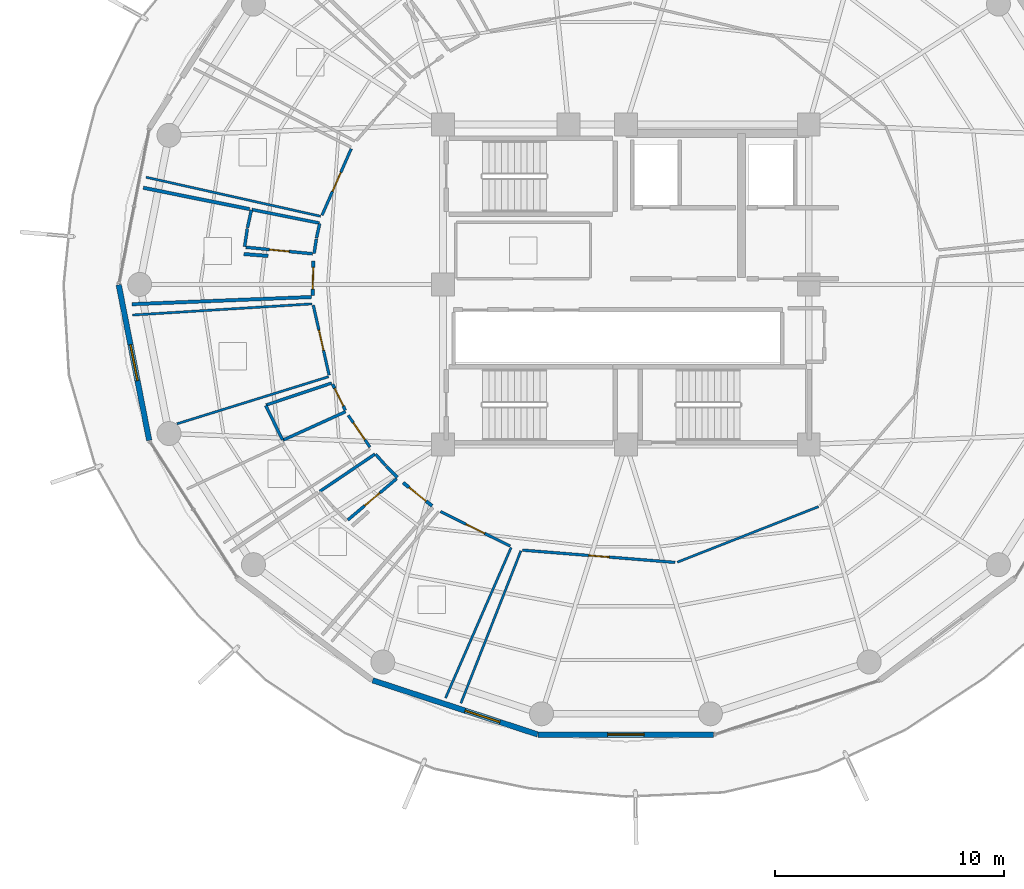
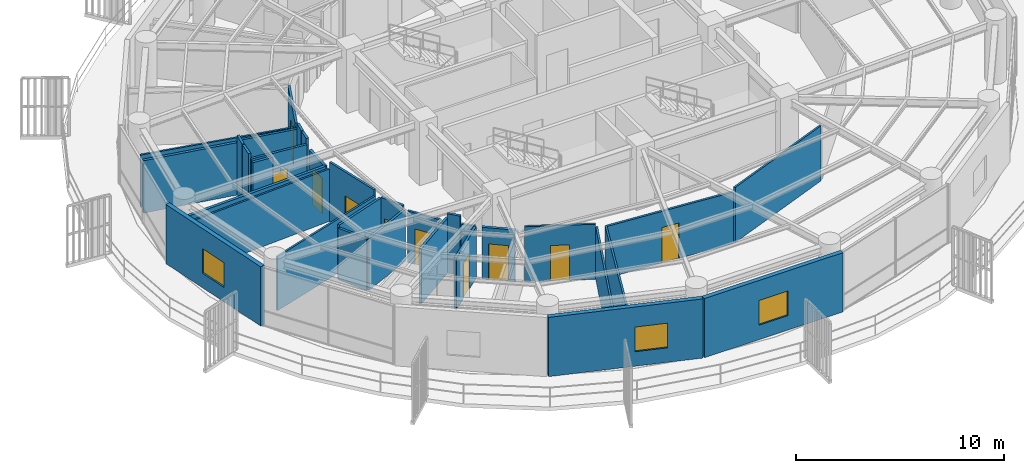
# One storey, part 23 of 30: 33 walls, 10 doors, 3 windows, 13 openings.
"""IFC4 building model written with IfcOpenShell, lengths in metres."""

import ifcopenshell
import ifcopenshell.guid

model = None  # the IFC model being written
_history = None  # IfcOwnerHistory: only IFC2X3 demands one
_inside = {}  # id of a spatial element -> (the spatial element, [elements in it])
_under = {}  # id of a project, library or spatial element -> (it, [spatial elements below it])
_declared = {}  # id of a project -> (the project, [libraries it declares])
_typed = {}  # id of a type object -> (the type object, [elements of that type])
_made_of = {}  # id of a material, layer set ... -> (it, [elements and type objects made of it])


def new_model(schema):
    """Start an empty IFC model of exactly this schema.

    Asked for "IFC4X3", IfcOpenShell would pick the latest addendum, in which some entities
    have other attributes; the version numbers below select the first issue.
    IFC2X3 requires an IfcOwnerHistory on every rooted entity: one is made here for all.
    """
    global model, _history
    if schema == "IFC4X3":
        model = ifcopenshell.file(schema_version=(4, 3, 0, 0))
    else:
        model = ifcopenshell.file(schema=schema)
    _inside.clear()
    _under.clear()
    _declared.clear()
    _typed.clear()
    _made_of.clear()
    _history = None
    if model.schema == "IFC2X3":
        org = make("IfcOrganization", Name="unknown")
        user = make(
            "IfcPersonAndOrganization",
            ThePerson=make("IfcPerson", FamilyName="unknown"),
            TheOrganization=org,
        )
        app = make(
            "IfcApplication",
            ApplicationDeveloper=org,
            Version="unknown",
            ApplicationFullName="unknown",
            ApplicationIdentifier="unknown",
        )
        _history = make(
            "IfcOwnerHistory",
            OwningUser=user,
            OwningApplication=app,
            ChangeAction="ADDED",
            CreationDate=0,
        )
    return model


def make(cls, **values):
    """One entity of the class cls with the attributes given. An attribute that is None is left unset."""
    return model.create_entity(
        cls, **{name: value for name, value in values.items() if value is not None}
    )


def rooted(cls, **values):
    """An entity with a GlobalId (a new one), such as an element, a storey or a relation."""
    return make(cls, GlobalId=ifcopenshell.guid.new(), OwnerHistory=_history, **values)


def si_unit(unit_type, name, prefix=None):
    """IfcSIUnit, for example si_unit("LENGTHUNIT", "METRE", prefix="MILLI")."""
    return make("IfcSIUnit", UnitType=unit_type, Prefix=prefix, Name=name)


def assignment(units):
    """IfcUnitAssignment: the units of a project."""
    return None if units is None else make("IfcUnitAssignment", Units=units)


def point(xyz):
    """IfcCartesianPoint."""
    return None if xyz is None else make("IfcCartesianPoint", Coordinates=xyz)


def direction(xyz):
    """IfcDirection."""
    return None if xyz is None else make("IfcDirection", DirectionRatios=xyz)


def frame(location, z_axis=None, x_axis=None):
    """IfcAxis2Placement3D, a coordinate frame: its origin and axes. An axis left out is left unset."""
    return make(
        "IfcAxis2Placement3D",
        Location=point(location),
        Axis=direction(z_axis),
        RefDirection=direction(x_axis),
    )


def frame_2d(location, x_axis=None):
    """IfcAxis2Placement2D, a coordinate frame in the plane: its origin and x axis."""
    return make(
        "IfcAxis2Placement2D", Location=point(location), RefDirection=direction(x_axis)
    )


def origin():
    """The frame at (0, 0, 0) with its axes left unset."""
    return frame((0.0, 0.0, 0.0))


def place(relative_to, where):
    """IfcLocalPlacement: puts the frame where relative to a parent placement (None: the world)."""
    return make(
        "IfcLocalPlacement", PlacementRelTo=relative_to, RelativePlacement=where
    )


def context(
    kind, dimensions, precision=None, world=None, true_north=None, identifier=None
):
    """IfcGeometricRepresentationContext, for example the 3D "Model" context."""
    return make(
        "IfcGeometricRepresentationContext",
        ContextIdentifier=identifier,
        ContextType=kind,
        CoordinateSpaceDimension=dimensions,
        Precision=precision,
        WorldCoordinateSystem=world,
        TrueNorth=true_north,
    )


def subcontext(parent, identifier, kind, view, scale=None):
    """IfcGeometricRepresentationSubContext, for example "Body" below "Model"."""
    return make(
        "IfcGeometricRepresentationSubContext",
        ContextIdentifier=identifier,
        ContextType=kind,
        ParentContext=parent,
        TargetScale=scale,
        TargetView=view,
    )


def project(units=None, contexts=None):
    """IfcProject with its units and contexts."""
    return rooted(
        "IfcProject",
        Name="project",
        RepresentationContexts=contexts,
        UnitsInContext=assignment(units),
    )


def spatial(cls, under=None, at=None, **own):
    """A site, building, storey or space (cls), placed at a placement, below another one or the project."""
    s = rooted(cls, ObjectPlacement=at, **own)
    if under is not None:
        _under.setdefault(under.id(), (under, []))[1].append(s)
    return s


def profile(cls, at=None, kind="AREA", **sizes):
    """A parametric profile (cls). Its sizes go by their IFC names, for example OverallWidth=200.0."""
    return make(cls, ProfileType=kind, Position=at, **sizes)


def rectangle(**sizes):
    """IfcRectangleProfileDef."""
    return profile("IfcRectangleProfileDef", **sizes)


def extrude(swept, where, along, depth):
    """IfcExtrudedAreaSolid: the profile swept, set in the frame where, extruded along a direction by depth."""
    return make(
        "IfcExtrudedAreaSolid",
        SweptArea=swept,
        Position=where,
        ExtrudedDirection=direction(along),
        Depth=depth,
    )


def shape(context_of_items, identifier, shape_type, items):
    """IfcShapeRepresentation: the items that make up one representation, for example the "Body"."""
    return make(
        "IfcShapeRepresentation",
        ContextOfItems=context_of_items,
        RepresentationIdentifier=identifier,
        RepresentationType=shape_type,
        Items=items,
    )


def material(Name=None, Category=None):
    """IfcMaterial."""
    return make("IfcMaterial", Name=Name, Category=Category)


def layer(
    of_material, thickness, ventilated=None, Name=None, Category=None, Priority=None
):
    """IfcMaterialLayer: one layer of a wall or slab, of a material (None: an air gap)."""
    return make(
        "IfcMaterialLayer",
        Material=of_material,
        LayerThickness=thickness,
        IsVentilated=ventilated,
        Name=Name,
        Category=Category,
        Priority=Priority,
    )


def layer_set(layers, Name=None):
    """IfcMaterialLayerSet."""
    return make("IfcMaterialLayerSet", MaterialLayers=layers, LayerSetName=Name)


def made_of(thing, what):
    """Note that an element or type object is made of a material, layer set ...; save() writes the relation."""
    if what is not None:
        _made_of.setdefault(what.id(), (what, []))[1].append(thing)
    return thing


def type_object(cls, material=None, **own):
    """A type object (cls), such as IfcWallType, which elements share."""
    return made_of(rooted(cls, **own), material)


def element(
    cls,
    number,
    at=None,
    inside=None,
    cuts=None,
    type_object=None,
    material=None,
    context=None,
    identifier="Body",
    shape_type=None,
    held_by="IfcProductDefinitionShape",
    body=None,
    shapes=None,
    **own,
):
    """One element of the class cls, such as IfcWall. Its Tag is "e" and its number.

    at: its placement. inside: the storey or other place that contains it. cuts: it is an
    opening in that element (IfcRelVoidsElement). A single representation is given by context,
    identifier, shape_type and body (its items); several are given by shapes. held_by: the class
    of the entity that holds the representations. save() writes the other relations.
    """
    e = rooted(cls, Tag="e%d" % number, ObjectPlacement=at, **own)
    if body is not None:
        shapes = [shape(context, identifier, shape_type, body)]
    if shapes is not None:
        e.Representation = make(held_by, Representations=shapes)
    if inside is not None:
        _inside.setdefault(inside.id(), (inside, []))[1].append(e)
    if cuts is not None:
        rooted(
            "IfcRelVoidsElement", RelatingBuildingElement=cuts, RelatedOpeningElement=e
        )
    if type_object is not None:
        _typed.setdefault(type_object.id(), (type_object, []))[1].append(e)
    return made_of(e, material)


def fill(opening, filler):
    """IfcRelFillsElement: the door or window that sits in an opening."""
    return rooted(
        "IfcRelFillsElement",
        RelatingOpeningElement=opening,
        RelatedBuildingElement=filler,
    )


def aggregate(whole, parts):
    """IfcRelAggregates: a whole, such as a stair, and the parts it consists of."""
    return rooted("IfcRelAggregates", RelatingObject=whole, RelatedObjects=parts)


def save(model, path):
    """Write the relations noted so far, then the file.

    IfcRelAggregates (storeys below a building ...), IfcRelContainedInSpatialStructure (elements
    in a storey), IfcRelDefinesByType, IfcRelAssociatesMaterial and IfcRelDeclares: one each for
    every whole, place, type object, material and project.
    """
    for whole, parts in _under.values():
        aggregate(whole, parts)
    for where, things in _inside.values():
        rooted(
            "IfcRelContainedInSpatialStructure",
            RelatedElements=things,
            RelatingStructure=where,
        )
    for kind, things in _typed.values():
        rooted("IfcRelDefinesByType", RelatedObjects=things, RelatingType=kind)
    for what, things in _made_of.values():
        rooted("IfcRelAssociatesMaterial", RelatedObjects=things, RelatingMaterial=what)
    for by, libraries in _declared.values():
        rooted("IfcRelDeclares", RelatingContext=by, RelatedDefinitions=libraries)
    model.write(path)


model = new_model("IFC4")

# Units and contexts
model_context = context("Model", 3, precision=1e-05, world=origin(), true_north=direction((0.0, 1.0)))
body_context = subcontext(model_context, "Body", "Model", "MODEL_VIEW")
ifc_project = project(units=[si_unit("LENGTHUNIT", "METRE"), si_unit("AREAUNIT", "SQUARE_METRE"), si_unit("VOLUMEUNIT", "CUBIC_METRE"), si_unit("PLANEANGLEUNIT", "RADIAN"), si_unit("MASSUNIT", "GRAM", prefix="KILO")], contexts=[model_context])

# Site, building, storey
site_placement = place(None, origin())
site = spatial("IfcSite", under=ifc_project, at=site_placement, CompositionType="ELEMENT")
building_placement = place(site_placement, origin())
building = spatial("IfcBuilding", under=site, at=building_placement, Name="Kelanora Arch Commons", CompositionType="ELEMENT")
storey_placement = place(building_placement, frame((0.0, 0.0, 234.449951171875)))
storey = spatial("IfcBuildingStorey", under=building, at=storey_placement, Name="L60", CompositionType="ELEMENT", Elevation=234.449951171875)

# Wall, opening, door
ifc_material_1 = material(Name="Autoclaved aerated concrete blockwork with fire plaster", Category="masonry")
ifc_layer_1 = layer(ifc_material_1, 0.14990234375)
ifc_layer_set_1 = layer_set([ifc_layer_1], Name="Autoclaved aerated concrete blockwork with fire plaster")
wall_type_1 = type_object("IfcWallType", Name="W-COMP-150", PredefinedType="PARTITIONING", material=ifc_layer_set_1)
wall_1_placement = place(storey_placement, frame((60.322509765625, 59.028076171875, 0.0), z_axis=(0.0, 0.0, 1.0), x_axis=(-0.024453580127, -0.999700966499, 0.0)))
wall_1 = element("IfcWall", 1, at=wall_1_placement, inside=storey, type_object=wall_type_1, Name="Cluster Bedroom L60-04 Entry Partition", PredefinedType="PARTITIONING", context=body_context, shape_type="SweptSolid", body=[
    extrude(rectangle(XDim=1.517578125, YDim=0.14990234375, at=frame_2d((0.7587890625, 0.0))), origin(), (0.0, 0.0, 1.0), 3.025146484375),
])
opening_1_placement = place(wall_1_placement, frame((0.283935546875, 0.0, 0.0)))
opening_1 = element("IfcOpeningElement", 2, at=opening_1_placement, cuts=wall_1, Name="Opening D-CLU1", PredefinedType="OPENING", context=body_context, shape_type="SweptSolid", body=[
    extrude(rectangle(XDim=0.949951171875, YDim=2.080078125, at=frame_2d((0.47509765625, 1.0400390625))), frame((0.0, 0.0849609375, 0.0), z_axis=(0.0, -1.0, 0.0), x_axis=(1.0, 0.0, 0.0)), (0.0, 0.0, 1.0), 0.169921875),
])
ifc_material_2 = material(Name="Solid-core acoustic timber cluster entry fire door", Category="wood")
door_type_1 = type_object("IfcDoorType", Name="D-CLU-95", OperationType="NOTDEFINED", PredefinedType="DOOR", material=ifc_material_2)
door_1_placement = place(opening_1_placement, origin())
door_1 = element("IfcDoor", 3, at=door_1_placement, inside=storey, type_object=door_type_1, Name="Cluster Bedroom L60-04 Door", OperationType="SINGLE_SWING_LEFT", OverallHeight=2.080078125, OverallWidth=0.949951171875, PredefinedType="DOOR", context=body_context, shape_type="SweptSolid", body=[
    extrude(rectangle(XDim=0.949951171875, YDim=2.080078125, at=frame_2d((0.47509765625, 1.0400390625))), frame((0.0, 0.02490234375, 0.0), z_axis=(0.0, -1.0, 0.0), x_axis=(1.0, 0.0, 0.0)), (0.0, 0.0, 1.0), 0.050048828125),
])
fill(opening_1, door_1)

wall_2_placement = place(storey_placement, frame((64.249755859375, 49.324462890625, 0.0), z_axis=(0.0, 0.0, 1.0), x_axis=(0.780560643324, -0.625080060547, 0.0)))
wall_2 = element("IfcWall", 4, at=wall_2_placement, inside=storey, type_object=wall_type_1, Name="Co-Living Studio L60-07 Entry Partition", PredefinedType="PARTITIONING", context=body_context, shape_type="SweptSolid", body=[
    extrude(rectangle(XDim=1.62353515625, YDim=0.14990234375, at=frame_2d((0.811767578125, 0.0))), origin(), (0.0, 0.0, 1.0), 3.025146484375),
])
opening_2_placement = place(wall_2_placement, frame((0.3369140625, 0.0, 0.0)))
opening_2 = element("IfcOpeningElement", 5, at=opening_2_placement, cuts=wall_2, Name="Opening D-CLU1", PredefinedType="OPENING", context=body_context, shape_type="SweptSolid", body=[
    extrude(rectangle(XDim=0.949951171875, YDim=2.080078125, at=frame_2d((0.47509765625, 1.0400390625))), frame((0.0, 0.0849609375, 0.0), z_axis=(0.0, -1.0, 0.0), x_axis=(1.0, 0.0, 0.0)), (0.0, 0.0, 1.0), 0.169921875),
])
door_2_placement = place(opening_2_placement, origin())
door_2 = element("IfcDoor", 6, at=door_2_placement, inside=storey, type_object=door_type_1, Name="Co-Living Studio L60-07 Door", OperationType="SINGLE_SWING_RIGHT", OverallHeight=2.080078125, OverallWidth=0.949951171875, PredefinedType="DOOR", context=body_context, shape_type="SweptSolid", body=[
    extrude(rectangle(XDim=0.949951171875, YDim=2.080078125, at=frame_2d((0.47509765625, 1.0400390625))), frame((0.0, 0.02490234375, 0.0), z_axis=(0.0, -1.0, 0.0), x_axis=(1.0, 0.0, 0.0)), (0.0, 0.0, 1.0), 0.050048828125),
])
fill(opening_2, door_2)

# Walls
wall_3_placement = place(storey_placement, frame((60.243896484375, 57.449462890625, 0.0), z_axis=(0.0, 0.0, 1.0), x_axis=(-0.999198776547, -0.040022555479, 0.0)))
element("IfcWall", 7, at=wall_3_placement, inside=storey, type_object=wall_type_1, Name="Cluster Bedroom L60-04 Enclosure Partition 2", PredefinedType="PARTITIONING", context=body_context, shape_type="SweptSolid", body=[
    extrude(rectangle(XDim=7.869140625, YDim=0.14990234375, at=frame_2d((3.9345703125, 0.0))), origin(), (0.0, 0.0, 1.0), 3.074951171875),
])
wall_4_placement = place(storey_placement, frame((52.878173828125, 62.22900390625, 0.0), z_axis=(0.0, 0.0, 1.0), x_axis=(0.980491563171, -0.196561172538, 0.0)))
element("IfcWall", 8, at=wall_4_placement, inside=storey, type_object=wall_type_1, Name="Cluster Bedroom L60-04 Enclosure Partition 5", PredefinedType="PARTITIONING", context=body_context, shape_type="SweptSolid", body=[
    extrude(rectangle(XDim=4.7470703125, YDim=0.14990234375, at=frame_2d((2.37353515625, 0.0))), origin(), (0.0, 0.0, 1.0), 3.074951171875),
])
wall_5_placement = place(storey_placement, frame((57.27490234375, 59.330810546875, 0.0), z_axis=(0.0, 0.0, 1.0), x_axis=(0.996837682514, -0.079464675924, 0.0)))
element("IfcWall", 9, at=wall_5_placement, inside=storey, type_object=wall_type_1, Name="Cluster Bedroom L60-04 Enclosure Partition 7", PredefinedType="PARTITIONING", context=body_context, shape_type="SweptSolid", body=[
    extrude(rectangle(XDim=1.072265625, YDim=0.14990234375, at=frame_2d((0.5361328125, 0.0))), origin(), (0.0, 0.0, 1.0), 3.175048828125),
])

# Wall, opening, window
ifc_material_3 = material(Name="Precast concrete C40/50 upper-zone terracotta rainscreen", Category="masonry")
ifc_layer_2 = layer(ifc_material_3, 0.239990234375)
ifc_layer_set_2 = layer_set([ifc_layer_2], Name="Precast concrete C40/50 upper-zone terracotta rainscreen")
wall_type_2 = type_object("IfcWallType", Name="W-EXT-TC2", PredefinedType="SOLIDWALL", material=ifc_layer_set_2)
wall_6_placement = place(storey_placement, frame((51.802978515625, 57.9853515625, 0.0), z_axis=(0.0, 0.0, 1.0), x_axis=(0.192069055673, -0.981381413036, 0.0)))
wall_6 = element("IfcWall", 10, at=wall_6_placement, inside=storey, type_object=wall_type_2, Name="Terracotta Exterior Wall L60-B09", PredefinedType="SOLIDWALL", context=body_context, shape_type="SweptSolid", body=[
    extrude(rectangle(XDim=6.940185546875, YDim=0.239990234375, at=frame_2d((3.47021484375, 0.0))), origin(), (0.0, 0.0, 1.0), 3.47509765625),
])
opening_3_placement = place(wall_6_placement, frame((2.669921875, 0.0, 0.85009765625)))
opening_3 = element("IfcOpeningElement", 11, at=opening_3_placement, cuts=wall_6, Name="Opening WN-01", PredefinedType="OPENING", context=body_context, shape_type="SweptSolid", body=[
    extrude(rectangle(XDim=1.60009765625, YDim=1.449951171875, at=frame_2d((0.800048828125, 0.72509765625))), frame((0.0, 0.1298828125, 0.0), z_axis=(0.0, -1.0, 0.0), x_axis=(1.0, 0.0, 0.0)), (0.0, 0.0, 1.0), 0.260009765625),
])
ifc_material_4 = material(Name="Terracotta-anodised aluminium frame with operable low-E glazing", Category="masonry")
window_type = type_object("IfcWindowType", Name="WIN-CL-18", PartitioningType="DOUBLE_PANEL_VERTICAL", PredefinedType="WINDOW", material=ifc_material_4)
window_1_placement = place(opening_3_placement, origin())
window_1 = element("IfcWindow", 12, at=window_1_placement, inside=storey, type_object=window_type, Name="Co-Living Operable Window L60-B09", OverallHeight=1.449951171875, OverallWidth=1.60009765625, PartitioningType="SINGLE_PANEL", PredefinedType="WINDOW", context=body_context, shape_type="SweptSolid", body=[
    extrude(rectangle(XDim=1.60009765625, YDim=1.449951171875, at=frame_2d((0.800048828125, 0.72509765625))), frame((0.0, 0.030029296875, 0.0), z_axis=(0.0, -1.0, 0.0), x_axis=(1.0, 0.0, 0.0)), (0.0, 0.0, 1.0), 0.06005859375),
])
fill(opening_3, window_1)

wall_7_placement = place(storey_placement, frame((62.914306640625, 40.6748046875, 0.0), z_axis=(0.0, 0.0, 1.0), x_axis=(0.95022142767, -0.31157541366, 0.0)))
wall_7 = element("IfcWall", 13, at=wall_7_placement, inside=storey, type_object=wall_type_2, Name="Terracotta Exterior Wall L60-B12", PredefinedType="SOLIDWALL", context=body_context, shape_type="SweptSolid", body=[
    extrude(rectangle(XDim=7.59423828125, YDim=0.239990234375, at=frame_2d((3.797119140625, 0.0))), origin(), (0.0, 0.0, 1.0), 3.47509765625),
])
opening_4_placement = place(wall_7_placement, frame((4.257080078125, 0.0, 0.85009765625)))
opening_4 = element("IfcOpeningElement", 14, at=opening_4_placement, cuts=wall_7, Name="Opening WN-01", PredefinedType="OPENING", context=body_context, shape_type="SweptSolid", body=[
    extrude(rectangle(XDim=1.60009765625, YDim=1.449951171875, at=frame_2d((0.800048828125, 0.72509765625))), frame((0.0, 0.1298828125, 0.0), z_axis=(0.0, -1.0, 0.0), x_axis=(1.0, 0.0, 0.0)), (0.0, 0.0, 1.0), 0.260009765625),
])
window_2_placement = place(opening_4_placement, origin())
window_2 = element("IfcWindow", 15, at=window_2_placement, inside=storey, type_object=window_type, Name="Co-Living Operable Window L60-B12", OverallHeight=1.449951171875, OverallWidth=1.60009765625, PartitioningType="SINGLE_PANEL", PredefinedType="WINDOW", context=body_context, shape_type="SweptSolid", body=[
    extrude(rectangle(XDim=1.60009765625, YDim=1.449951171875, at=frame_2d((0.800048828125, 0.72509765625))), frame((0.0, 0.030029296875, 0.0), z_axis=(0.0, -1.0, 0.0), x_axis=(1.0, 0.0, 0.0)), (0.0, 0.0, 1.0), 0.06005859375),
])
fill(opening_4, window_2)

wall_8_placement = place(storey_placement, frame((70.159912109375, 38.3037109375, 0.0), z_axis=(0.0, 0.0, 1.0), x_axis=(1.0, 0.0, 0.0)))
wall_8 = element("IfcWall", 16, at=wall_8_placement, inside=storey, type_object=wall_type_2, Name="Terracotta Exterior Wall L60-B13", PredefinedType="SOLIDWALL", context=body_context, shape_type="SweptSolid", body=[
    extrude(rectangle(XDim=7.68017578125, YDim=0.239990234375, at=frame_2d((3.840087890625, 0.0))), origin(), (0.0, 0.0, 1.0), 3.47509765625),
])
opening_5_placement = place(wall_8_placement, frame((3.0400390625, 0.0, 0.85009765625)))
opening_5 = element("IfcOpeningElement", 17, at=opening_5_placement, cuts=wall_8, Name="Opening WN-01", PredefinedType="OPENING", context=body_context, shape_type="SweptSolid", body=[
    extrude(rectangle(XDim=1.60009765625, YDim=1.449951171875, at=frame_2d((0.800048828125, 0.72509765625))), frame((0.0, 0.1298828125, 0.0), z_axis=(0.0, -1.0, 0.0), x_axis=(1.0, 0.0, 0.0)), (0.0, 0.0, 1.0), 0.260009765625),
])
window_3_placement = place(opening_5_placement, origin())
window_3 = element("IfcWindow", 18, at=window_3_placement, inside=storey, type_object=window_type, Name="Co-Living Operable Window L60-B13", OverallHeight=1.449951171875, OverallWidth=1.60009765625, PartitioningType="SINGLE_PANEL", PredefinedType="WINDOW", context=body_context, shape_type="SweptSolid", body=[
    extrude(rectangle(XDim=1.60009765625, YDim=1.449951171875, at=frame_2d((0.800048828125, 0.72509765625))), frame((0.0, 0.030029296875, 0.0), z_axis=(0.0, -1.0, 0.0), x_axis=(1.0, 0.0, 0.0)), (0.0, 0.0, 1.0), 0.06005859375),
])
fill(opening_5, window_3)

# Walls
ifc_material_5 = material(Name="Lightweight fire-rated acoustic stud partition")
ifc_layer_3 = layer(ifc_material_5, 0.10009765625)
ifc_layer_set_3 = layer_set([ifc_layer_3], Name="Lightweight fire-rated acoustic stud partition")
wall_type_3 = type_object("IfcWallType", Name="W-PART-100", PredefinedType="PARTITIONING", material=ifc_layer_set_3)
wall_9_placement = place(storey_placement, frame((76.250244140625, 45.845703125, 0.0), z_axis=(0.0, 0.0, 1.0), x_axis=(0.93054786628, 0.366170272635, 0.0)))
element("IfcWall", 19, at=wall_9_placement, inside=storey, type_object=wall_type_3, Name="South-East Shared Study Commons L60 Enclosure Partition 2", PredefinedType="PARTITIONING", context=body_context, shape_type="SweptSolid", body=[
    extrude(rectangle(XDim=6.635498046875, YDim=0.10009765625, at=frame_2d((3.31787109375, 0.0))), origin(), (0.0, 0.0, 1.0), 3.235107421875),
])
wall_10_placement = place(storey_placement, frame((66.777587890625, 39.67431640625, 0.0), z_axis=(0.0, 0.0, 1.0), x_axis=(0.366396673382, 0.930458745853, 0.0)))
element("IfcWall", 20, at=wall_10_placement, inside=storey, type_object=wall_type_3, Name="South-East Shared Study Commons L60 Enclosure Partition 10", PredefinedType="PARTITIONING", context=body_context, shape_type="SweptSolid", body=[
    extrude(rectangle(XDim=7.163818359375, YDim=0.10009765625, at=frame_2d((3.58203125, 0.0))), origin(), (0.0, 0.0, 1.0), 3.074951171875),
])
wall_11_placement = place(storey_placement, frame((60.636962890625, 60.983642578125, 0.0), z_axis=(0.0, 0.0, 1.0), x_axis=(-0.97589770928, 0.218228460612, 0.0)))
element("IfcWall", 21, at=wall_11_placement, inside=storey, type_object=wall_type_3, Name="Shared Cluster Kitchen L60-03 Enclosure Partition 2", PredefinedType="PARTITIONING", context=body_context, shape_type="SweptSolid", body=[
    extrude(rectangle(XDim=7.82568359375, YDim=0.10009765625, at=frame_2d((3.912841796875, 0.0))), origin(), (0.0, 0.0, 1.0), 3.074951171875),
])
wall_12_placement = place(storey_placement, frame((60.98486328125, 53.961181640625, 0.0), z_axis=(0.0, 0.0, 1.0), x_axis=(-0.954952218503, -0.29675960031, 0.0)))
element("IfcWall", 22, at=wall_12_placement, inside=storey, type_object=wall_type_3, Name="Quiet Seminar Study Room L60-05 Enclosure Partition 2", PredefinedType="PARTITIONING", context=body_context, shape_type="SweptSolid", body=[
    extrude(rectangle(XDim=6.946044921875, YDim=0.10009765625, at=frame_2d((3.47314453125, 0.0))), origin(), (0.0, 0.0, 1.0), 3.175048828125),
])
wall_13_placement = place(storey_placement, frame((52.410888671875, 56.660400390625, 0.0), z_axis=(0.0, 0.0, 1.0), x_axis=(0.998074132124, 0.06203246557, 0.0)))
element("IfcWall", 23, at=wall_13_placement, inside=storey, type_object=wall_type_3, Name="Quiet Seminar Study Room L60-05 Enclosure Partition 4", PredefinedType="PARTITIONING", context=body_context, shape_type="SweptSolid", body=[
    extrude(rectangle(XDim=7.867431640625, YDim=0.10009765625, at=frame_2d((3.93359375, 0.0))), origin(), (0.0, 0.0, 1.0), 3.074951171875),
])
wall_14_placement = place(storey_placement, frame((68.97412109375, 46.4833984375, 0.0), z_axis=(0.0, 0.0, 1.0), x_axis=(-0.399504113712, -0.916731401844, 0.0)))
element("IfcWall", 24, at=wall_14_placement, inside=storey, type_object=wall_type_3, Name="Quiet Seminar Study Room L60-08 Enclosure Partition 2", PredefinedType="PARTITIONING", context=body_context, shape_type="SweptSolid", body=[
    extrude(rectangle(XDim=7.181640625, YDim=0.10009765625, at=frame_2d((3.5908203125, 0.0))), origin(), (0.0, 0.0, 1.0), 3.074951171875),
])

# Wall, opening, door
ifc_material_6 = material(Name="Acoustic twin-stud fire-rated gypsum partition")
ifc_layer_4 = layer(ifc_material_6, 0.1201171875)
ifc_layer_set_4 = layer_set([ifc_layer_4], Name="Acoustic twin-stud fire-rated gypsum partition")
wall_type_4 = type_object("IfcWallType", Name="W-PART-120", PredefinedType="PARTITIONING", material=ifc_layer_set_4)
wall_15_placement = place(storey_placement, frame((69.476806640625, 46.372314453125, 0.0), z_axis=(0.0, 0.0, 1.0), x_axis=(0.996785539967, -0.080116086476, 0.0)))
wall_15 = element("IfcWall", 25, at=wall_15_placement, inside=storey, type_object=wall_type_4, Name="South-East Shared Study Commons L60 Entry Partition", PredefinedType="PARTITIONING", context=body_context, shape_type="SweptSolid", body=[
    extrude(rectangle(XDim=6.697998046875, YDim=0.1201171875, at=frame_2d((3.34912109375, 0.0))), origin(), (0.0, 0.0, 1.0), 3.025146484375),
])
opening_6_placement = place(wall_15_placement, frame((2.89892578125, 0.0, 0.0)))
opening_6 = element("IfcOpeningElement", 26, at=opening_6_placement, cuts=wall_15, Name="Opening D-RM1", PredefinedType="OPENING", context=body_context, shape_type="SweptSolid", body=[
    extrude(rectangle(XDim=0.89990234375, YDim=2.080078125, at=frame_2d((0.449951171875, 1.0400390625))), frame((0.0, 0.070068359375, 0.0), z_axis=(0.0, -1.0, 0.0), x_axis=(1.0, 0.0, 0.0)), (0.0, 0.0, 1.0), 0.14013671875),
])
ifc_material_7 = material(Name="Acoustic fire-rated timber study and lounge door", Category="wood")
door_type_2 = type_object("IfcDoorType", Name="D-ROOM-90", OperationType="NOTDEFINED", PredefinedType="DOOR", material=ifc_material_7)
door_3_placement = place(opening_6_placement, origin())
door_3 = element("IfcDoor", 27, at=door_3_placement, inside=storey, type_object=door_type_2, Name="South-East Shared Study Commons L60 Door", OperationType="SINGLE_SWING_RIGHT", OverallHeight=2.080078125, OverallWidth=0.89990234375, PredefinedType="DOOR", context=body_context, shape_type="SweptSolid", body=[
    extrude(rectangle(XDim=0.89990234375, YDim=2.080078125, at=frame_2d((0.449951171875, 1.0400390625))), frame((0.0, 0.02490234375, 0.0), z_axis=(0.0, -1.0, 0.0), x_axis=(1.0, 0.0, 0.0)), (0.0, 0.0, 1.0), 0.050048828125),
])
fill(opening_6, door_3)

wall_16_placement = place(storey_placement, frame((61.975830078125, 63.93701171875, 0.0), z_axis=(0.0, 0.0, 1.0), x_axis=(-0.401802923717, -0.91572616567, 0.0)))
wall_16 = element("IfcWall", 28, at=wall_16_placement, inside=storey, type_object=wall_type_4, Name="Shared Cluster Kitchen L60-03 Entry Partition", PredefinedType="PARTITIONING", context=body_context, shape_type="SweptSolid", body=[
    extrude(rectangle(XDim=3.1748046875, YDim=0.1201171875, at=frame_2d((1.58740234375, 0.0))), origin(), (0.0, 0.0, 1.0), 3.235107421875),
])
opening_7_placement = place(wall_16_placement, frame((1.136962890625, 0.0, 0.0)))
opening_7 = element("IfcOpeningElement", 29, at=opening_7_placement, cuts=wall_16, Name="Opening D-RM1", PredefinedType="OPENING", context=body_context, shape_type="SweptSolid", body=[
    extrude(rectangle(XDim=0.89990234375, YDim=2.080078125, at=frame_2d((0.449951171875, 1.0400390625))), frame((0.0, 0.070068359375, 0.0), z_axis=(0.0, -1.0, 0.0), x_axis=(1.0, 0.0, 0.0)), (0.0, 0.0, 1.0), 0.14013671875),
])
door_4_placement = place(opening_7_placement, origin())
door_4 = element("IfcDoor", 30, at=door_4_placement, inside=storey, type_object=door_type_2, Name="Shared Cluster Kitchen L60-03 Door", OperationType="SINGLE_SWING_LEFT", OverallHeight=2.080078125, OverallWidth=0.89990234375, PredefinedType="DOOR", context=body_context, shape_type="SweptSolid", body=[
    extrude(rectangle(XDim=0.89990234375, YDim=2.080078125, at=frame_2d((0.449951171875, 1.0400390625))), frame((0.0, 0.02490234375, 0.0), z_axis=(0.0, -1.0, 0.0), x_axis=(1.0, 0.0, 0.0)), (0.0, 0.0, 1.0), 0.050048828125),
])
fill(opening_7, door_4)

wall_17_placement = place(storey_placement, frame((60.31640625, 57.092529296875, 0.0), z_axis=(0.0, 0.0, 1.0), x_axis=(0.22091500264, -0.975293064473, 0.0)))
wall_17 = element("IfcWall", 31, at=wall_17_placement, inside=storey, type_object=wall_type_4, Name="Quiet Seminar Study Room L60-05 Entry Partition", PredefinedType="PARTITIONING", context=body_context, shape_type="SweptSolid", body=[
    extrude(rectangle(XDim=3.138671875, YDim=0.1201171875, at=frame_2d((1.5693359375, 0.0))), origin(), (0.0, 0.0, 1.0), 3.47998046875),
])
opening_8_placement = place(wall_17_placement, frame((1.118896484375, 0.0, 0.0)))
opening_8 = element("IfcOpeningElement", 32, at=opening_8_placement, cuts=wall_17, Name="Opening D-RM1", PredefinedType="OPENING", context=body_context, shape_type="SweptSolid", body=[
    extrude(rectangle(XDim=0.89990234375, YDim=2.080078125, at=frame_2d((0.449951171875, 1.0400390625))), frame((0.0, 0.070068359375, 0.0), z_axis=(0.0, -1.0, 0.0), x_axis=(1.0, 0.0, 0.0)), (0.0, 0.0, 1.0), 0.14013671875),
])
door_5_placement = place(opening_8_placement, origin())
door_5 = element("IfcDoor", 33, at=door_5_placement, inside=storey, type_object=door_type_2, Name="Quiet Seminar Study Room L60-05 Door", OperationType="SINGLE_SWING_RIGHT", OverallHeight=2.080078125, OverallWidth=0.89990234375, PredefinedType="DOOR", context=body_context, shape_type="SweptSolid", body=[
    extrude(rectangle(XDim=0.89990234375, YDim=2.080078125, at=frame_2d((0.449951171875, 1.0400390625))), frame((0.0, 0.02490234375, 0.0), z_axis=(0.0, -1.0, 0.0), x_axis=(1.0, 0.0, 0.0)), (0.0, 0.0, 1.0), 0.050048828125),
])
fill(opening_8, door_5)

wall_18_placement = place(storey_placement, frame((61.845703125, 52.2734375, 0.0), z_axis=(0.0, 0.0, 1.0), x_axis=(0.563860796601, -0.825869845712, 0.0)))
wall_18 = element("IfcWall", 34, at=wall_18_placement, inside=storey, type_object=wall_type_4, Name="Tutorial Study Alcove L60-06 Entry Partition", PredefinedType="PARTITIONING", context=body_context, shape_type="SweptSolid", body=[
    extrude(rectangle(XDim=1.691162109375, YDim=0.1201171875, at=frame_2d((0.845703125, 0.0))), origin(), (0.0, 0.0, 1.0), 3.025146484375),
])
opening_9_placement = place(wall_18_placement, frame((0.39599609375, 0.0, 0.0)))
opening_9 = element("IfcOpeningElement", 35, at=opening_9_placement, cuts=wall_18, Name="Opening D-RM1", PredefinedType="OPENING", context=body_context, shape_type="SweptSolid", body=[
    extrude(rectangle(XDim=0.89990234375, YDim=2.080078125, at=frame_2d((0.449951171875, 1.0400390625))), frame((0.0, 0.070068359375, 0.0), z_axis=(0.0, -1.0, 0.0), x_axis=(1.0, 0.0, 0.0)), (0.0, 0.0, 1.0), 0.14013671875),
])
door_6_placement = place(opening_9_placement, origin())
door_6 = element("IfcDoor", 36, at=door_6_placement, inside=storey, type_object=door_type_2, Name="Tutorial Study Alcove L60-06 Door", OperationType="SINGLE_SWING_RIGHT", OverallHeight=2.080078125, OverallWidth=0.89990234375, PredefinedType="DOOR", context=body_context, shape_type="SweptSolid", body=[
    extrude(rectangle(XDim=0.89990234375, YDim=2.080078125, at=frame_2d((0.449951171875, 1.0400390625))), frame((0.0, 0.02490234375, 0.0), z_axis=(0.0, -1.0, 0.0), x_axis=(1.0, 0.0, 0.0)), (0.0, 0.0, 1.0), 0.050048828125),
])
fill(opening_9, door_6)

wall_19_placement = place(storey_placement, frame((65.884765625, 48.063232421875, 0.0), z_axis=(0.0, 0.0, 1.0), x_axis=(0.895499293581, -0.445062933973, 0.0)))
wall_19 = element("IfcWall", 37, at=wall_19_placement, inside=storey, type_object=wall_type_4, Name="Quiet Seminar Study Room L60-08 Entry Partition", PredefinedType="PARTITIONING", context=body_context, shape_type="SweptSolid", body=[
    extrude(rectangle(XDim=3.40771484375, YDim=0.1201171875, at=frame_2d((1.703857421875, 0.0))), origin(), (0.0, 0.0, 1.0), 3.235107421875),
])
opening_10_placement = place(wall_19_placement, frame((1.25390625, 0.0, 0.0)))
opening_10 = element("IfcOpeningElement", 38, at=opening_10_placement, cuts=wall_19, Name="Opening D-RM1", PredefinedType="OPENING", context=body_context, shape_type="SweptSolid", body=[
    extrude(rectangle(XDim=0.89990234375, YDim=2.080078125, at=frame_2d((0.449951171875, 1.0400390625))), frame((0.0, 0.070068359375, 0.0), z_axis=(0.0, -1.0, 0.0), x_axis=(1.0, 0.0, 0.0)), (0.0, 0.0, 1.0), 0.14013671875),
])
door_7_placement = place(opening_10_placement, origin())
door_7 = element("IfcDoor", 39, at=door_7_placement, inside=storey, type_object=door_type_2, Name="Quiet Seminar Study Room L60-08 Door", OperationType="SINGLE_SWING_LEFT", OverallHeight=2.080078125, OverallWidth=0.89990234375, PredefinedType="DOOR", context=body_context, shape_type="SweptSolid", body=[
    extrude(rectangle(XDim=0.89990234375, YDim=2.080078125, at=frame_2d((0.449951171875, 1.0400390625))), frame((0.0, 0.02490234375, 0.0), z_axis=(0.0, -1.0, 0.0), x_axis=(1.0, 0.0, 0.0)), (0.0, 0.0, 1.0), 0.050048828125),
])
fill(opening_10, door_7)

ifc_material_8 = material(Name="Moisture-resistant fire-rated cement-board plumbing wall")
ifc_layer_5 = layer(ifc_material_8, 0.1298828125)
ifc_layer_set_5 = layer_set([ifc_layer_5], Name="Moisture-resistant fire-rated cement-board plumbing wall")
wall_type_5 = type_object("IfcWallType", Name="W-WET-120", PredefinedType="PLUMBINGWALL", material=ifc_layer_set_5)
wall_20_placement = place(storey_placement, frame((60.291259765625, 59.33984375, 0.0), z_axis=(0.0, 0.0, 1.0), x_axis=(-0.995236750248, 0.097487491277, 0.0)))
wall_20 = element("IfcWall", 40, at=wall_20_placement, inside=storey, type_object=wall_type_5, Name="En-Suite Shower WC L60-04 Entry Partition", PredefinedType="PLUMBINGWALL", context=body_context, shape_type="SweptSolid", body=[
    extrude(rectangle(XDim=2.9375, YDim=0.1298828125, at=frame_2d((1.46875, 0.0))), origin(), (0.0, 0.0, 1.0), 3.175048828125),
])
opening_11_placement = place(wall_20_placement, frame((1.0390625, 0.0, 0.0)))
opening_11 = element("IfcOpeningElement", 41, at=opening_11_placement, cuts=wall_20, Name="Opening D-BT1", PredefinedType="OPENING", context=body_context, shape_type="SweptSolid", body=[
    extrude(rectangle(XDim=0.860107421875, YDim=2.050048828125, at=frame_2d((0.43017578125, 1.02490234375))), frame((0.0, 0.074951171875, 0.0), z_axis=(0.0, -1.0, 0.0), x_axis=(1.0, 0.0, 0.0)), (0.0, 0.0, 1.0), 0.14990234375),
])
ifc_material_9 = material(Name="Moisture-sealed fire-rated accessible bathroom door")
door_type_3 = type_object("IfcDoorType", Name="D-BATH-85", OperationType="NOTDEFINED", PredefinedType="DOOR", material=ifc_material_9)
door_8_placement = place(opening_11_placement, origin())
door_8 = element("IfcDoor", 42, at=door_8_placement, inside=storey, type_object=door_type_3, Name="En-Suite Shower WC L60-04 Door", OperationType="SINGLE_SWING_RIGHT", OverallHeight=2.050048828125, OverallWidth=0.860107421875, PredefinedType="DOOR", context=body_context, shape_type="SweptSolid", body=[
    extrude(rectangle(XDim=0.860107421875, YDim=2.050048828125, at=frame_2d((0.43017578125, 1.02490234375))), frame((0.0, 0.02490234375, 0.0), z_axis=(0.0, -1.0, 0.0), x_axis=(1.0, 0.0, 0.0)), (0.0, 0.0, 1.0), 0.050048828125),
])
fill(opening_11, door_8)

wall_21_placement = place(storey_placement, frame((61.162353515625, 53.635986328125, 0.0), z_axis=(0.0, 0.0, 1.0), x_axis=(0.437981349822, -0.898984058373, 0.0)))
wall_21 = element("IfcWall", 43, at=wall_21_placement, inside=storey, type_object=wall_type_5, Name="Accessible Shared Floor WC L60-06 Entry Partition", PredefinedType="PLUMBINGWALL", context=body_context, shape_type="SweptSolid", body=[
    extrude(rectangle(XDim=1.272705078125, YDim=0.1298828125, at=frame_2d((0.63623046875, 0.0))), origin(), (0.0, 0.0, 1.0), 3.235107421875),
])
opening_12_placement = place(wall_21_placement, frame((0.2060546875, 0.0, 0.0)))
opening_12 = element("IfcOpeningElement", 44, at=opening_12_placement, cuts=wall_21, Name="Opening D-BT1", PredefinedType="OPENING", context=body_context, shape_type="SweptSolid", body=[
    extrude(rectangle(XDim=0.860107421875, YDim=2.050048828125, at=frame_2d((0.43017578125, 1.02490234375))), frame((0.0, 0.074951171875, 0.0), z_axis=(0.0, -1.0, 0.0), x_axis=(1.0, 0.0, 0.0)), (0.0, 0.0, 1.0), 0.14990234375),
])
door_9_placement = place(opening_12_placement, origin())
door_9 = element("IfcDoor", 45, at=door_9_placement, inside=storey, type_object=door_type_3, Name="Accessible Shared Floor WC L60-06 Door", OperationType="SINGLE_SWING_LEFT", OverallHeight=2.050048828125, OverallWidth=0.860107421875, PredefinedType="DOOR", context=body_context, shape_type="SweptSolid", body=[
    extrude(rectangle(XDim=0.860107421875, YDim=2.050048828125, at=frame_2d((0.43017578125, 1.02490234375))), frame((0.0, 0.02490234375, 0.0), z_axis=(0.0, -1.0, 0.0), x_axis=(1.0, 0.0, 0.0)), (0.0, 0.0, 1.0), 0.050048828125),
])
fill(opening_12, door_9)

wall_22_placement = place(storey_placement, frame((63.96630859375, 49.501220703125, 0.0), z_axis=(0.0, 0.0, 1.0), x_axis=(-0.763141339825, -0.646231611305, 0.0)))
wall_22 = element("IfcWall", 46, at=wall_22_placement, inside=storey, type_object=wall_type_5, Name="En-Suite Shower WC L60-07 Entry Partition", PredefinedType="PLUMBINGWALL", context=body_context, shape_type="SweptSolid", body=[
    extrude(rectangle(XDim=2.79833984375, YDim=0.1298828125, at=frame_2d((1.399169921875, 0.0))), origin(), (0.0, 0.0, 1.0), 3.025146484375),
])
opening_13_placement = place(wall_22_placement, frame((0.968994140625, 0.0, 0.0)))
opening_13 = element("IfcOpeningElement", 47, at=opening_13_placement, cuts=wall_22, Name="Opening D-BT1", PredefinedType="OPENING", context=body_context, shape_type="SweptSolid", body=[
    extrude(rectangle(XDim=0.860107421875, YDim=2.050048828125, at=frame_2d((0.43017578125, 1.02490234375))), frame((0.0, 0.074951171875, 0.0), z_axis=(0.0, -1.0, 0.0), x_axis=(1.0, 0.0, 0.0)), (0.0, 0.0, 1.0), 0.14990234375),
])
door_10_placement = place(opening_13_placement, origin())
door_10 = element("IfcDoor", 48, at=door_10_placement, inside=storey, type_object=door_type_3, Name="En-Suite Shower WC L60-07 Door", OperationType="SINGLE_SWING_LEFT", OverallHeight=2.050048828125, OverallWidth=0.860107421875, PredefinedType="DOOR", context=body_context, shape_type="SweptSolid", body=[
    extrude(rectangle(XDim=0.860107421875, YDim=2.050048828125, at=frame_2d((0.43017578125, 1.02490234375))), frame((0.0, 0.02490234375, 0.0), z_axis=(0.0, -1.0, 0.0), x_axis=(1.0, 0.0, 0.0)), (0.0, 0.0, 1.0), 0.050048828125),
])
fill(opening_13, door_10)

# Walls
wall_23_placement = place(storey_placement, frame((60.5947265625, 60.66259765625, 0.0), z_axis=(0.0, 0.0, 1.0), x_axis=(-0.211050082749, -0.977475249084, 0.0)))
element("IfcWall", 49, at=wall_23_placement, inside=storey, type_object=wall_type_5, Name="En-Suite Shower WC L60-04 Enclosure Partition 1", PredefinedType="PLUMBINGWALL", context=body_context, shape_type="SweptSolid", body=[
    extrude(rectangle(XDim=0.646728515625, YDim=0.1298828125, at=frame_2d((0.3232421875, 0.0))), origin(), (0.0, 0.0, 1.0), 3.47998046875),
])
wall_24_placement = place(storey_placement, frame((60.450927734375, 59.9912109375, 0.0), z_axis=(0.0, 0.0, 1.0), x_axis=(-0.150321319766, -0.988637193729, 0.0)))
element("IfcWall", 50, at=wall_24_placement, inside=storey, type_object=wall_type_5, Name="En-Suite Shower WC L60-04 Enclosure Partition 2", PredefinedType="PLUMBINGWALL", context=body_context, shape_type="SweptSolid", body=[
    extrude(rectangle(XDim=0.644775390625, YDim=0.1298828125, at=frame_2d((0.322265625, 0.0))), origin(), (0.0, 0.0, 1.0), 3.47998046875),
])
wall_25_placement = place(storey_placement, frame((57.31103515625, 59.65185546875, 0.0), z_axis=(0.0, 0.0, 1.0), x_axis=(0.150331405734, 0.988635660114, 0.0)))
element("IfcWall", 51, at=wall_25_placement, inside=storey, type_object=wall_type_5, Name="En-Suite Shower WC L60-04 Enclosure Partition 4", PredefinedType="PLUMBINGWALL", context=body_context, shape_type="SweptSolid", body=[
    extrude(rectangle(XDim=0.79736328125, YDim=0.1298828125, at=frame_2d((0.398681640625, 0.0))), origin(), (0.0, 0.0, 1.0), 3.47998046875),
])
wall_26_placement = place(storey_placement, frame((57.438232421875, 60.4794921875, 0.0), z_axis=(0.0, 0.0, 1.0), x_axis=(0.210843597485, 0.977519809211, 0.0)))
element("IfcWall", 52, at=wall_26_placement, inside=storey, type_object=wall_type_5, Name="En-Suite Shower WC L60-04 Enclosure Partition 5", PredefinedType="PLUMBINGWALL", context=body_context, shape_type="SweptSolid", body=[
    extrude(rectangle(XDim=0.799072265625, YDim=0.1298828125, at=frame_2d((0.3994140625, 0.0))), origin(), (0.0, 0.0, 1.0), 3.47998046875),
])
wall_27_placement = place(storey_placement, frame((57.630615234375, 61.276123046875, 0.0), z_axis=(0.0, 0.0, 1.0), x_axis=(0.980543188147, -0.196303479793, 0.0)))
element("IfcWall", 53, at=wall_27_placement, inside=storey, type_object=wall_type_5, Name="En-Suite Shower WC L60-04 Enclosure Partition 6", PredefinedType="PLUMBINGWALL", context=body_context, shape_type="SweptSolid", body=[
    extrude(rectangle(XDim=3.00732421875, YDim=0.1298828125, at=frame_2d((1.503662109375, 0.0))), origin(), (0.0, 0.0, 1.0), 3.175048828125),
])
wall_28_placement = place(storey_placement, frame((61.727783203125, 52.4296875, 0.0), z_axis=(0.0, 0.0, 1.0), x_axis=(-0.910394340166, -0.413741640874, 0.0)))
element("IfcWall", 54, at=wall_28_placement, inside=storey, type_object=wall_type_5, Name="Accessible Shared Floor WC L60-06 Enclosure Partition 2", PredefinedType="PLUMBINGWALL", context=body_context, shape_type="SweptSolid", body=[
    extrude(rectangle(XDim=3.00048828125, YDim=0.1298828125, at=frame_2d((1.500244140625, 0.0))), origin(), (0.0, 0.0, 1.0), 3.025146484375),
])
wall_29_placement = place(storey_placement, frame((58.96923828125, 51.197998046875, 0.0), z_axis=(0.0, 0.0, 1.0), x_axis=(-0.437811526414, 0.899066775795, 0.0)))
element("IfcWall", 55, at=wall_29_placement, inside=storey, type_object=wall_type_5, Name="Accessible Shared Floor WC L60-06 Enclosure Partition 3", PredefinedType="PLUMBINGWALL", context=body_context, shape_type="SweptSolid", body=[
    extrude(rectangle(XDim=1.666259765625, YDim=0.1298828125, at=frame_2d((0.8330078125, 0.0))), origin(), (0.0, 0.0, 1.0), 3.025146484375),
])
wall_30_placement = place(storey_placement, frame((58.25, 52.720458984375, 0.0), z_axis=(0.0, 0.0, 1.0), x_axis=(0.947938024122, 0.318454867169, 0.0)))
element("IfcWall", 56, at=wall_30_placement, inside=storey, type_object=wall_type_5, Name="Accessible Shared Floor WC L60-06 Enclosure Partition 4", PredefinedType="PLUMBINGWALL", context=body_context, shape_type="SweptSolid", body=[
    extrude(rectangle(XDim=3.0244140625, YDim=0.1298828125, at=frame_2d((1.51220703125, 0.0))), origin(), (0.0, 0.0, 1.0), 3.175048828125),
])
wall_31_placement = place(storey_placement, frame((63.044189453125, 50.569091796875, 0.0), z_axis=(0.0, 0.0, 1.0), x_axis=(0.663846659507, -0.74786871352, 0.0)))
element("IfcWall", 57, at=wall_31_placement, inside=storey, type_object=wall_type_5, Name="En-Suite Shower WC L60-07 Enclosure Partition 1", PredefinedType="PLUMBINGWALL", context=body_context, shape_type="SweptSolid", body=[
    extrude(rectangle(XDim=0.674072265625, YDim=0.1298828125, at=frame_2d((0.3369140625, 0.0))), origin(), (0.0, 0.0, 1.0), 3.47998046875),
])
wall_32_placement = place(storey_placement, frame((63.51904296875, 50.035888671875, 0.0), z_axis=(0.0, 0.0, 1.0), x_axis=(0.704946592253, -0.70926039088, 0.0)))
element("IfcWall", 58, at=wall_32_placement, inside=storey, type_object=wall_type_5, Name="En-Suite Shower WC L60-07 Enclosure Partition 2", PredefinedType="PLUMBINGWALL", context=body_context, shape_type="SweptSolid", body=[
    extrude(rectangle(XDim=0.67919921875, YDim=0.1298828125, at=frame_2d((0.339599609375, 0.0))), origin(), (0.0, 0.0, 1.0), 3.025146484375),
])
wall_33_placement = place(storey_placement, frame((60.6025390625, 48.941162109375, 0.0), z_axis=(0.0, 0.0, 1.0), x_axis=(0.828277690913, 0.560317826538, 0.0)))
element("IfcWall", 59, at=wall_33_placement, inside=storey, type_object=wall_type_5, Name="En-Suite Shower WC L60-07 Enclosure Partition 6", PredefinedType="PLUMBINGWALL", context=body_context, shape_type="SweptSolid", body=[
    extrude(rectangle(XDim=2.911865234375, YDim=0.1298828125, at=frame_2d((1.4560546875, 0.0))), origin(), (0.0, 0.0, 1.0), 3.235107421875),
])

save(model, "model.ifc")
